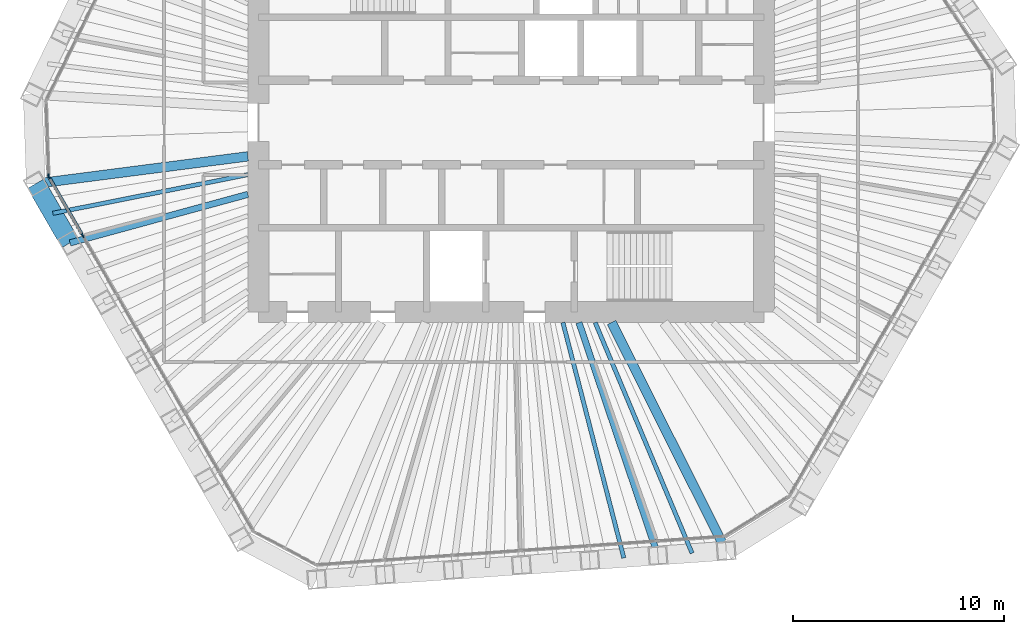
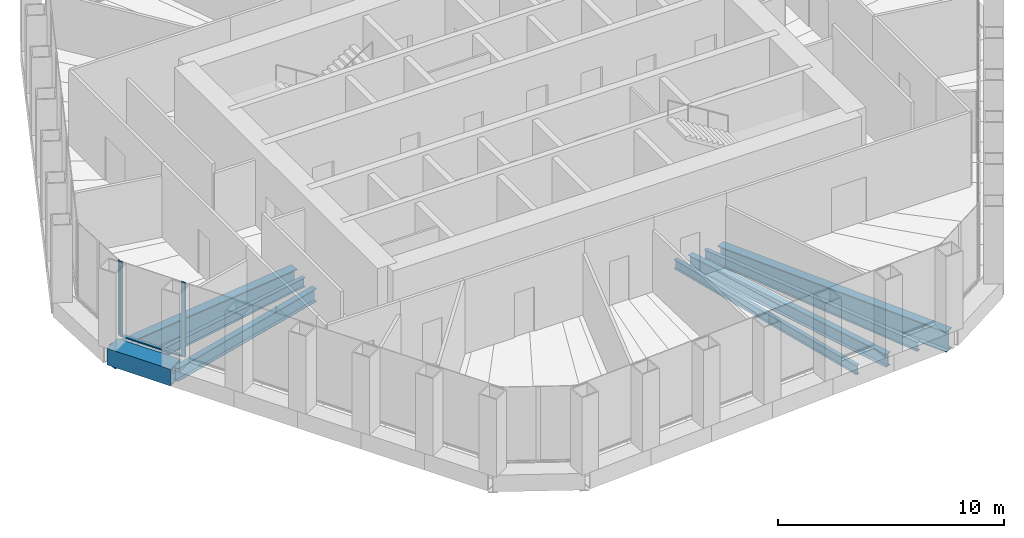
# One storey, part 3 of 14: 8 beams, 4 members, 2 elements without a shape of their own.
"""IFC4 building model written with IfcOpenShell, lengths in metres."""

from ifc_helpers import new_model, si_unit, direction, frame, origin, origin_2d, place, context, subcontext, project, spatial, rectangle, hollow_rectangle, i_section, extrude, material, material_profile, profile_set, type_object, element, aggregate, save


model = new_model("IFC4")

# Units and contexts
model_context = context("Model", 3, precision=1e-05, world=origin(), true_north=direction((0.0, 1.0)))
body_context = subcontext(model_context, "Body", "Model", "MODEL_VIEW")
ifc_project = project(units=[si_unit("LENGTHUNIT", "METRE"), si_unit("AREAUNIT", "SQUARE_METRE"), si_unit("VOLUMEUNIT", "CUBIC_METRE"), si_unit("PLANEANGLEUNIT", "RADIAN"), si_unit("MASSUNIT", "GRAM", prefix="KILO")], contexts=[model_context])

# Site, building, storey
site_placement = place(None, origin())
site = spatial("IfcSite", under=ifc_project, at=site_placement, CompositionType="ELEMENT")
building_placement = place(site_placement, origin())
building = spatial("IfcBuilding", under=site, at=building_placement, Name="Qingtian Harvest Tower", CompositionType="ELEMENT")
storey_placement = place(building_placement, frame((0.0, 0.0, 270.39990234375)))
storey = spatial("IfcBuildingStorey", under=building, at=storey_placement, Name="L59", CompositionType="ELEMENT", Elevation=270.39990234375)

# Beams
ifc_material_1 = material(Name="Steel SM570MC", Category="steel")
ifc_material_profile_1 = material_profile(ifc_material_1, i_section(OverallWidth=0.449951171875, OverallDepth=1.10009765625, WebThickness=0.02197265625, FlangeThickness=0.044921875, at=origin_2d()), Name="H1100x450x22x45")
ifc_profile_set_1 = profile_set([ifc_material_profile_1], Name="Steel SM570MC")
beam_type_1 = type_object("IfcBeamType", Name="Corner floor beam FB8 H1100x450x22x45", PredefinedType="BEAM", material=ifc_profile_set_1)
beam_1_placement = place(storey_placement, frame((10.20947265625, -20.33740234375, -0.719970703125), z_axis=(-0.448646499463, 0.89370930314, 0.0), x_axis=(-0.89370930314, -0.448646499463, 0.0)))
element("IfcBeam", 1, at=beam_1_placement, inside=storey, type_object=beam_type_1, Name="Floor beam FB8 S0", PredefinedType="BEAM", context=body_context, shape_type="SweptSolid", body=[
    extrude(i_section(OverallWidth=0.449951171875, OverallDepth=1.10009765625, WebThickness=0.02197265625, FlangeThickness=0.044921875, at=origin_2d()), origin(), (0.0, 0.0, 1.0), 12.126220703125),
])
beam_2_placement = place(storey_placement, frame((-22.569580078125, -2.908447265625, -0.719970703125), z_axis=(0.991799019918, 0.127807292784, 0.0), x_axis=(-0.127807292784, 0.991799019918, 0.0)))
element("IfcBeam", 2, at=beam_2_placement, inside=storey, type_object=beam_type_1, Name="Floor beam FB8 SW6", PredefinedType="BEAM", context=body_context, shape_type="SweptSolid", body=[
    extrude(i_section(OverallWidth=0.449951171875, OverallDepth=1.10009765625, WebThickness=0.02197265625, FlangeThickness=0.044921875, at=origin_2d()), origin(), (0.0, 0.0, 1.0), 10.15283203125),
])
ifc_material_2 = material(Name="Steel SN490B", Category="steel")
ifc_material_profile_2 = material_profile(ifc_material_2, i_section(OverallWidth=0.300048828125, OverallDepth=0.699951171875, WebThickness=0.012939453125, FlangeThickness=0.02392578125, at=origin_2d()), Name="H700x300x13x24")
ifc_profile_set_2 = profile_set([ifc_material_profile_2], Name="Steel SN490B")
beam_type_2 = type_object("IfcBeamType", Name="Floor beam FB4 H700x300x13x24", PredefinedType="BEAM", material=ifc_profile_set_2)
beam_3_placement = place(storey_placement, frame((6.96923828125, -20.56396484375, -0.52001953125), z_axis=(-0.320963665382, 0.947091508517, 0.0), x_axis=(-0.947091508517, -0.320963665382, 0.0)))
element("IfcBeam", 3, at=beam_3_placement, inside=storey, type_object=beam_type_2, Name="Floor beam FB4 S1", PredefinedType="BEAM", context=body_context, shape_type="SweptSolid", body=[
    extrude(i_section(OverallWidth=0.300048828125, OverallDepth=0.699951171875, WebThickness=0.012939453125, FlangeThickness=0.02392578125, at=origin_2d()), origin(), (0.0, 0.0, 1.0), 11.68212890625),
])
beam_4_placement = place(storey_placement, frame((-20.945556640625, -5.721435546875, -0.52001953125), z_axis=(0.964660783636, 0.263494919335, 0.0), x_axis=(-0.263494919335, 0.964660783636, 0.0)))
element("IfcBeam", 4, at=beam_4_placement, inside=storey, type_object=beam_type_2, Name="Floor beam FB4 SW5", PredefinedType="BEAM", context=body_context, shape_type="SweptSolid", body=[
    extrude(i_section(OverallWidth=0.300048828125, OverallDepth=0.699951171875, WebThickness=0.012939453125, FlangeThickness=0.02392578125, at=origin_2d()), origin(), (0.0, 0.0, 1.0), 8.7548828125),
])
ifc_material_3 = material(Name="Steel SN490B", Category="steel")
ifc_material_profile_3 = material_profile(ifc_material_3, i_section(OverallWidth=0.199951171875, OverallDepth=0.5, WebThickness=0.010009765625, FlangeThickness=0.01611328125, at=origin_2d()), Name="H500x200x10x16")
ifc_profile_set_3 = profile_set([ifc_material_profile_3], Name="Steel SN490B")
beam_type_3 = type_object("IfcBeamType", Name="Floor joist J3 H500x200x10x16", PredefinedType="JOIST", material=ifc_profile_set_3)
beam_5_placement = place(storey_placement, frame((8.58935546875, -20.45068359375, -0.419921875), z_axis=(-0.387238075679, 0.921979757232, 0.0), x_axis=(-0.921979757232, -0.387238075679, 0.0)))
element("IfcBeam", 5, at=beam_5_placement, inside=storey, type_object=beam_type_3, Name="Floor joist J3 S0", PredefinedType="JOIST", context=body_context, shape_type="SweptSolid", body=[
    extrude(i_section(OverallWidth=0.199951171875, OverallDepth=0.5, WebThickness=0.010009765625, FlangeThickness=0.01611328125, at=origin_2d()), origin(), (0.0, 0.0, 1.0), 11.87744140625),
])
beam_6_placement = place(storey_placement, frame((5.349365234375, -20.67724609375, -0.419921875), z_axis=(-0.250458686855, 0.968127288211, 0.0), x_axis=(-0.968127288211, -0.250458686855, 0.0)))
element("IfcBeam", 6, at=beam_6_placement, inside=storey, type_object=beam_type_3, Name="Floor joist J3 S1", PredefinedType="JOIST", context=body_context, shape_type="SweptSolid", body=[
    extrude(i_section(OverallWidth=0.199951171875, OverallDepth=0.5, WebThickness=0.010009765625, FlangeThickness=0.01611328125, at=origin_2d()), origin(), (0.0, 0.0, 1.0), 11.545166015625),
])
beam_7_placement = place(storey_placement, frame((-21.757568359375, -4.31494140625, -0.419921875), z_axis=(0.980896774681, 0.194528962937, 0.0), x_axis=(-0.194528962937, 0.980896774681, 0.0)))
element("IfcBeam", 7, at=beam_7_placement, inside=storey, type_object=beam_type_3, Name="Floor joist J3 SW5", PredefinedType="JOIST", context=body_context, shape_type="SweptSolid", body=[
    extrude(i_section(OverallWidth=0.199951171875, OverallDepth=0.5, WebThickness=0.010009765625, FlangeThickness=0.01611328125, at=origin_2d()), origin(), (0.0, 0.0, 1.0), 9.437744140625),
])

# Curtain wall, members
ifc_material_4 = material(Name="Bronze-anodised aluminium curtain wall", Category="aluminium")
curtain_wall_type = type_object("IfcCurtainWallType", Name="Curtain wall CW5 upper office", PredefinedType="USERDEFINED", material=ifc_material_4)
curtain_wall_1_placement = place(storey_placement, origin())
curtain_wall_1 = element("IfcCurtainWall", 8, at=curtain_wall_1_placement, inside=storey, type_object=curtain_wall_type, Name="Curtain wall CW5 L59 SW0-5", ObjectType="RECESSED CURTAIN WALL", PredefinedType="USERDEFINED")
ifc_material_5 = material(Name="Bronze-anodised aluminium mullion", Category="aluminium")
ifc_material_profile_4 = material_profile(ifc_material_5, rectangle(XDim=0.06494140625, YDim=0.199951171875, at=origin_2d()), Name="AL 65x200")
ifc_profile_set_4 = profile_set([ifc_material_profile_4], Name="Bronze-anodised aluminium mullion")
member_type_1 = type_object("IfcMemberType", Name="Mullion CWM 65x200", PredefinedType="MULLION", material=ifc_profile_set_4)
member_1_placement = place(storey_placement, frame((-20.33935546875, -5.371337890625, 0.0), z_axis=(0.0, 0.0, 1.0), x_axis=(-0.866025403784, -0.5, 0.0)))
member_1 = element("IfcMember", 9, at=member_1_placement, type_object=member_type_1, Name="CW5 mullion 6", PredefinedType="MULLION", context=body_context, shape_type="SweptSolid", body=[
    extrude(rectangle(XDim=0.06494140625, YDim=0.199951171875, at=origin_2d()), origin(), (0.0, 0.0, 1.0), 4.030029296875),
])
member_2_placement = place(storey_placement, frame((-21.947021484375, -2.586669921875, 0.0), z_axis=(0.0, 0.0, 1.0), x_axis=(-0.866025403784, -0.5, 0.0)))
member_2 = element("IfcMember", 10, at=member_2_placement, type_object=member_type_1, Name="CW5 mullion 7", PredefinedType="MULLION", context=body_context, shape_type="SweptSolid", body=[
    extrude(rectangle(XDim=0.06494140625, YDim=0.199951171875, at=origin_2d()), origin(), (0.0, 0.0, 1.0), 4.030029296875),
])

# Curtain wall, member
curtain_wall_2_placement = place(storey_placement, origin())
curtain_wall_2 = element("IfcCurtainWall", 11, at=curtain_wall_2_placement, inside=storey, type_object=curtain_wall_type, Name="Curtain wall CW5 L59 SWC", ObjectType="RECESSED CURTAIN WALL", PredefinedType="USERDEFINED")
member_3_placement = place(storey_placement, frame((-21.96435546875, -2.526123046875, 0.0), z_axis=(0.0, 0.0, 1.0), x_axis=(-0.999390827019, -0.034899496703, 0.0)))
member_3 = element("IfcMember", 12, at=member_3_placement, type_object=member_type_1, Name="CW5 mullion 1", PredefinedType="MULLION", context=body_context, shape_type="SweptSolid", body=[
    extrude(rectangle(XDim=0.06494140625, YDim=0.199951171875, at=origin_2d()), origin(), (0.0, 0.0, 1.0), 4.030029296875),
])
aggregate(curtain_wall_2, [member_3])

# Beam
ifc_material_6 = material(Name="Steel SM570MC", Category="steel")
ifc_material_profile_5 = material_profile(ifc_material_6, hollow_rectangle(XDim=0.89990234375, YDim=0.89990234375, WallThickness=0.050048828125, at=origin_2d()), Name="BOX900x900x50")
ifc_profile_set_5 = profile_set([ifc_material_profile_5], Name="Steel SM570MC")
beam_type_4 = type_object("IfcBeamType", Name="Transition spandrel SB6 BOX900x900x50", PredefinedType="SPANDREL", material=ifc_profile_set_5)
beam_8_placement = place(storey_placement, frame((-20.945556640625, -5.721435546875, -0.449951171875), z_axis=(-0.499987045439, 0.866032882975, 0.0), x_axis=(-0.866032882975, -0.499987045439, 0.0)))
element("IfcBeam", 13, at=beam_8_placement, inside=storey, type_object=beam_type_4, Name="Spandrel SB6 SW5", PredefinedType="SPANDREL", context=body_context, shape_type="SweptSolid", body=[
    extrude(hollow_rectangle(XDim=0.89990234375, YDim=0.89990234375, WallThickness=0.050048828125, at=origin_2d()), origin(), (0.0, 0.0, 1.0), 3.248046875),
])

# Member
ifc_material_7 = material(Name="Bronze-anodised aluminium transom", Category="aluminium")
ifc_material_profile_6 = material_profile(ifc_material_7, rectangle(XDim=0.14990234375, YDim=0.06494140625, at=origin_2d()), Name="AL 65x150")
ifc_profile_set_6 = profile_set([ifc_material_profile_6], Name="Bronze-anodised aluminium transom")
member_type_2 = type_object("IfcMemberType", Name="Transom CWT 65x150", PredefinedType="USERDEFINED", material=ifc_profile_set_6)
member_4_placement = place(storey_placement, frame((-20.35546875, -5.34326171875, 0.03271484375), z_axis=(-0.499972881236, 0.866041060244, 0.0), x_axis=(-0.866041060244, -0.499972881236, 0.0)))
member_4 = element("IfcMember", 14, at=member_4_placement, type_object=member_type_2, Name="CW5 transom 6.1", ObjectType="TRANSOM", PredefinedType="USERDEFINED", context=body_context, shape_type="SweptSolid", body=[
    extrude(rectangle(XDim=0.14990234375, YDim=0.06494140625, at=origin_2d()), origin(), (0.0, 0.0, 1.0), 3.150634765625),
])

aggregate(curtain_wall_1, [member_1, member_2, member_4])

save(model, "model.ifc")
